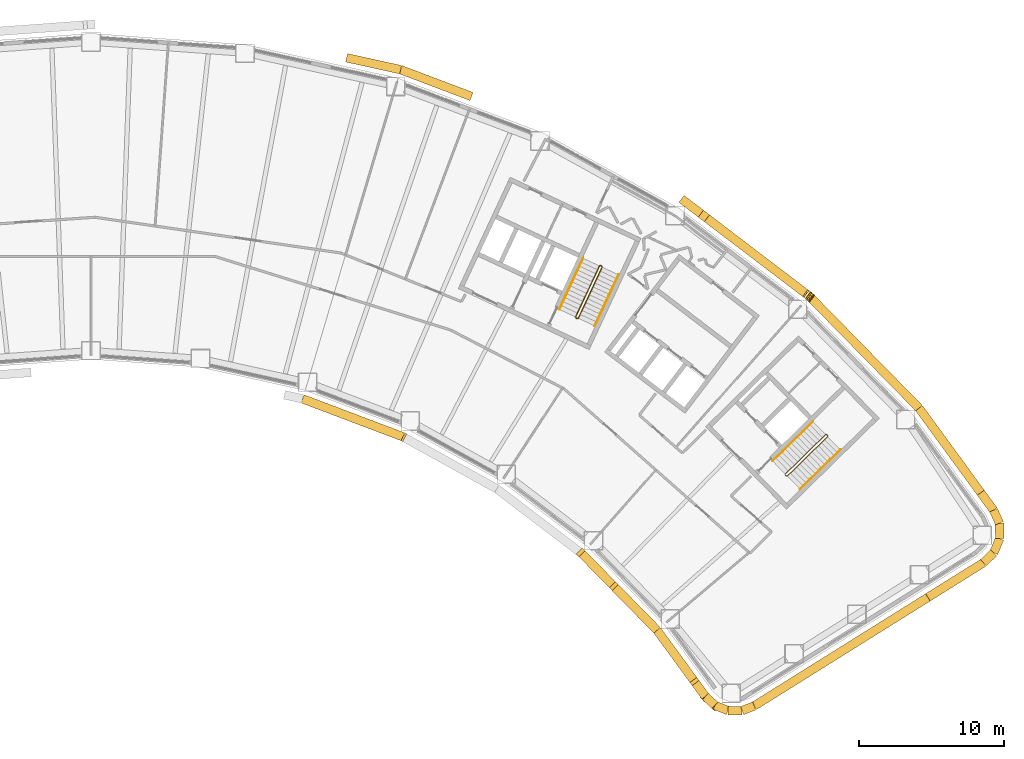
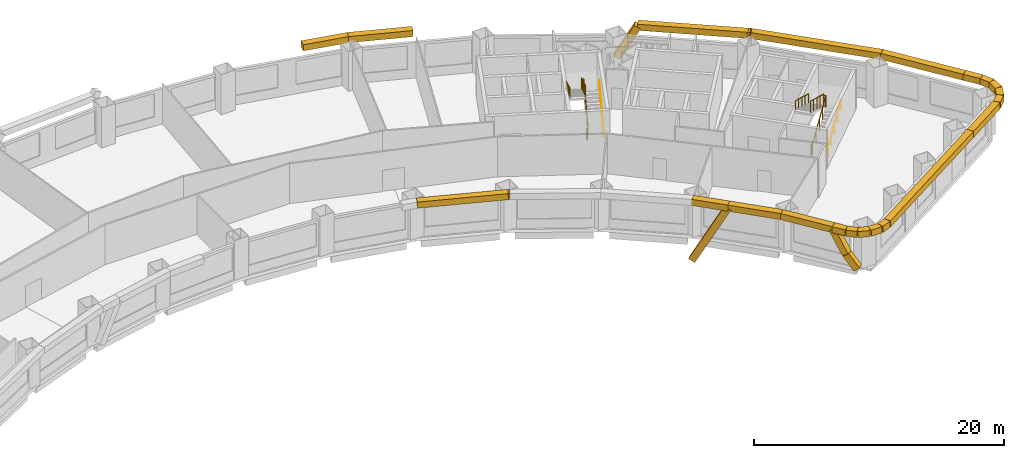
# One storey, part 11 of 11: 29 coverings, 6 railings.
"""IFC4 building model written with IfcOpenShell, lengths in metres."""

import ifcopenshell
import ifcopenshell.guid

model = None  # the IFC model being written
_history = None  # IfcOwnerHistory: only IFC2X3 demands one
_inside = {}  # id of a spatial element -> (the spatial element, [elements in it])
_under = {}  # id of a project, library or spatial element -> (it, [spatial elements below it])
_declared = {}  # id of a project -> (the project, [libraries it declares])
_typed = {}  # id of a type object -> (the type object, [elements of that type])
_made_of = {}  # id of a material, layer set ... -> (it, [elements and type objects made of it])


def new_model(schema):
    """Start an empty IFC model of exactly this schema.

    Asked for "IFC4X3", IfcOpenShell would pick the latest addendum, in which some entities
    have other attributes; the version numbers below select the first issue.
    IFC2X3 requires an IfcOwnerHistory on every rooted entity: one is made here for all.
    """
    global model, _history
    if schema == "IFC4X3":
        model = ifcopenshell.file(schema_version=(4, 3, 0, 0))
    else:
        model = ifcopenshell.file(schema=schema)
    _inside.clear()
    _under.clear()
    _declared.clear()
    _typed.clear()
    _made_of.clear()
    _history = None
    if model.schema == "IFC2X3":
        org = make("IfcOrganization", Name="unknown")
        user = make(
            "IfcPersonAndOrganization",
            ThePerson=make("IfcPerson", FamilyName="unknown"),
            TheOrganization=org,
        )
        app = make(
            "IfcApplication",
            ApplicationDeveloper=org,
            Version="unknown",
            ApplicationFullName="unknown",
            ApplicationIdentifier="unknown",
        )
        _history = make(
            "IfcOwnerHistory",
            OwningUser=user,
            OwningApplication=app,
            ChangeAction="ADDED",
            CreationDate=0,
        )
    return model


def make(cls, **values):
    """One entity of the class cls with the attributes given. An attribute that is None is left unset."""
    return model.create_entity(
        cls, **{name: value for name, value in values.items() if value is not None}
    )


def rooted(cls, **values):
    """An entity with a GlobalId (a new one), such as an element, a storey or a relation."""
    return make(cls, GlobalId=ifcopenshell.guid.new(), OwnerHistory=_history, **values)


def si_unit(unit_type, name, prefix=None):
    """IfcSIUnit, for example si_unit("LENGTHUNIT", "METRE", prefix="MILLI")."""
    return make("IfcSIUnit", UnitType=unit_type, Prefix=prefix, Name=name)


def assignment(units):
    """IfcUnitAssignment: the units of a project."""
    return None if units is None else make("IfcUnitAssignment", Units=units)


def point(xyz):
    """IfcCartesianPoint."""
    return None if xyz is None else make("IfcCartesianPoint", Coordinates=xyz)


def direction(xyz):
    """IfcDirection."""
    return None if xyz is None else make("IfcDirection", DirectionRatios=xyz)


def frame(location, z_axis=None, x_axis=None):
    """IfcAxis2Placement3D, a coordinate frame: its origin and axes. An axis left out is left unset."""
    return make(
        "IfcAxis2Placement3D",
        Location=point(location),
        Axis=direction(z_axis),
        RefDirection=direction(x_axis),
    )


def frame_2d(location, x_axis=None):
    """IfcAxis2Placement2D, a coordinate frame in the plane: its origin and x axis."""
    return make(
        "IfcAxis2Placement2D", Location=point(location), RefDirection=direction(x_axis)
    )


def origin():
    """The frame at (0, 0, 0) with its axes left unset."""
    return frame((0.0, 0.0, 0.0))


def origin_2d():
    """The frame at (0, 0) in the plane with its x axis left unset."""
    return frame_2d((0.0, 0.0))


def place(relative_to, where):
    """IfcLocalPlacement: puts the frame where relative to a parent placement (None: the world)."""
    return make(
        "IfcLocalPlacement", PlacementRelTo=relative_to, RelativePlacement=where
    )


def context(
    kind, dimensions, precision=None, world=None, true_north=None, identifier=None
):
    """IfcGeometricRepresentationContext, for example the 3D "Model" context."""
    return make(
        "IfcGeometricRepresentationContext",
        ContextIdentifier=identifier,
        ContextType=kind,
        CoordinateSpaceDimension=dimensions,
        Precision=precision,
        WorldCoordinateSystem=world,
        TrueNorth=true_north,
    )


def subcontext(parent, identifier, kind, view, scale=None):
    """IfcGeometricRepresentationSubContext, for example "Body" below "Model"."""
    return make(
        "IfcGeometricRepresentationSubContext",
        ContextIdentifier=identifier,
        ContextType=kind,
        ParentContext=parent,
        TargetScale=scale,
        TargetView=view,
    )


def project(units=None, contexts=None):
    """IfcProject with its units and contexts."""
    return rooted(
        "IfcProject",
        Name="project",
        RepresentationContexts=contexts,
        UnitsInContext=assignment(units),
    )


def spatial(cls, under=None, at=None, **own):
    """A site, building, storey or space (cls), placed at a placement, below another one or the project."""
    s = rooted(cls, ObjectPlacement=at, **own)
    if under is not None:
        _under.setdefault(under.id(), (under, []))[1].append(s)
    return s


def profile(cls, at=None, kind="AREA", **sizes):
    """A parametric profile (cls). Its sizes go by their IFC names, for example OverallWidth=200.0."""
    return make(cls, ProfileType=kind, Position=at, **sizes)


def rectangle(**sizes):
    """IfcRectangleProfileDef."""
    return profile("IfcRectangleProfileDef", **sizes)


def circle(**sizes):
    """IfcCircleProfileDef."""
    return profile("IfcCircleProfileDef", **sizes)


def extrude(swept, where, along, depth):
    """IfcExtrudedAreaSolid: the profile swept, set in the frame where, extruded along a direction by depth."""
    return make(
        "IfcExtrudedAreaSolid",
        SweptArea=swept,
        Position=where,
        ExtrudedDirection=direction(along),
        Depth=depth,
    )


def shape(context_of_items, identifier, shape_type, items):
    """IfcShapeRepresentation: the items that make up one representation, for example the "Body"."""
    return make(
        "IfcShapeRepresentation",
        ContextOfItems=context_of_items,
        RepresentationIdentifier=identifier,
        RepresentationType=shape_type,
        Items=items,
    )


def material(Name=None, Category=None):
    """IfcMaterial."""
    return make("IfcMaterial", Name=Name, Category=Category)


def material_profile(
    of_material, cross_section, Name=None, Category=None, Priority=None
):
    """IfcMaterialProfile: a cross section and its material."""
    return make(
        "IfcMaterialProfile",
        Name=Name,
        Material=of_material,
        Profile=cross_section,
        Priority=Priority,
        Category=Category,
    )


def profile_set(profiles, Name=None, composite=None):
    """IfcMaterialProfileSet."""
    return make(
        "IfcMaterialProfileSet",
        Name=Name,
        MaterialProfiles=profiles,
        CompositeProfile=composite,
    )


def made_of(thing, what):
    """Note that an element or type object is made of a material, layer set ...; save() writes the relation."""
    if what is not None:
        _made_of.setdefault(what.id(), (what, []))[1].append(thing)
    return thing


def type_object(cls, material=None, **own):
    """A type object (cls), such as IfcWallType, which elements share."""
    return made_of(rooted(cls, **own), material)


def element(
    cls,
    number,
    at=None,
    inside=None,
    cuts=None,
    type_object=None,
    material=None,
    context=None,
    identifier="Body",
    shape_type=None,
    held_by="IfcProductDefinitionShape",
    body=None,
    shapes=None,
    **own,
):
    """One element of the class cls, such as IfcWall. Its Tag is "e" and its number.

    at: its placement. inside: the storey or other place that contains it. cuts: it is an
    opening in that element (IfcRelVoidsElement). A single representation is given by context,
    identifier, shape_type and body (its items); several are given by shapes. held_by: the class
    of the entity that holds the representations. save() writes the other relations.
    """
    e = rooted(cls, Tag="e%d" % number, ObjectPlacement=at, **own)
    if body is not None:
        shapes = [shape(context, identifier, shape_type, body)]
    if shapes is not None:
        e.Representation = make(held_by, Representations=shapes)
    if inside is not None:
        _inside.setdefault(inside.id(), (inside, []))[1].append(e)
    if cuts is not None:
        rooted(
            "IfcRelVoidsElement", RelatingBuildingElement=cuts, RelatedOpeningElement=e
        )
    if type_object is not None:
        _typed.setdefault(type_object.id(), (type_object, []))[1].append(e)
    return made_of(e, material)


def aggregate(whole, parts):
    """IfcRelAggregates: a whole, such as a stair, and the parts it consists of."""
    return rooted("IfcRelAggregates", RelatingObject=whole, RelatedObjects=parts)


def save(model, path):
    """Write the relations noted so far, then the file.

    IfcRelAggregates (storeys below a building ...), IfcRelContainedInSpatialStructure (elements
    in a storey), IfcRelDefinesByType, IfcRelAssociatesMaterial and IfcRelDeclares: one each for
    every whole, place, type object, material and project.
    """
    for whole, parts in _under.values():
        aggregate(whole, parts)
    for where, things in _inside.values():
        rooted(
            "IfcRelContainedInSpatialStructure",
            RelatedElements=things,
            RelatingStructure=where,
        )
    for kind, things in _typed.values():
        rooted("IfcRelDefinesByType", RelatedObjects=things, RelatingType=kind)
    for what, things in _made_of.values():
        rooted("IfcRelAssociatesMaterial", RelatedObjects=things, RelatingMaterial=what)
    for by, libraries in _declared.values():
        rooted("IfcRelDeclares", RelatingContext=by, RelatedDefinitions=libraries)
    model.write(path)


model = new_model("IFC4")

# Units and contexts
model_context = context("Model", 3, precision=1e-05, world=origin(), true_north=direction((0.0, 1.0)))
body_context = subcontext(model_context, "Body", "Model", "MODEL_VIEW")
ifc_project = project(units=[si_unit("LENGTHUNIT", "METRE"), si_unit("AREAUNIT", "SQUARE_METRE"), si_unit("VOLUMEUNIT", "CUBIC_METRE"), si_unit("PLANEANGLEUNIT", "RADIAN"), si_unit("MASSUNIT", "GRAM", prefix="KILO")], contexts=[model_context])

# Site, building, storey
site_placement = place(None, origin())
site = spatial("IfcSite", under=ifc_project, at=site_placement, CompositionType="ELEMENT")
building_placement = place(site_placement, origin())
building = spatial("IfcBuilding", under=site, at=building_placement, Name="Tuul Gate Civic Tower", CompositionType="ELEMENT")
storey_placement = place(building_placement, frame((0.0, 0.0, 35.699951171875)))
storey = spatial("IfcBuildingStorey", under=building, at=storey_placement, Name="Level 07", CompositionType="ELEMENT", Elevation=35.699951171875)

# Railings
ifc_material_1 = material(Name="Painted steel", Category="steel")
railing_type_1 = type_object("IfcRailingType", Name="Stair guard", PredefinedType="GUARDRAIL", material=ifc_material_1)
railing_1_placement = place(storey_placement, frame((48.10546875, -16.134765625, 0.0)))
element("IfcRailing", 1, at=railing_1_placement, inside=storey, type_object=railing_type_1, Name="Level 07 ST-3 stair guard 1", PredefinedType="GUARDRAIL", context=body_context, shape_type="SweptSolid", body=[
    extrude(circle(Radius=0.02392578125, at=origin_2d()), frame((0.0, 0.0, 1.076171875), z_axis=(-0.698506948293, 0.715603272202, 0.0), x_axis=(-0.715603272202, -0.698506948293, 0.0)), (0.0, 0.0, 1.0), 0.099853515625),
    extrude(circle(Radius=0.02392578125, at=origin_2d()), frame((-0.06982421875, 0.071533203125, 1.076171875), z_axis=(0.644948864628, -0.331432055434, 0.688617277337), x_axis=(0.457068866502, 0.889431307788, 0.0)), (0.0, 0.0, 1.0), 0.218017578125),
    extrude(circle(Radius=0.02392578125, at=origin_2d()), frame((0.07080078125, -0.000732421875, 1.22607421875), z_axis=(0.638731261263, 0.626133563701, 0.447190268558), x_axis=(-0.700029477518, 0.714113947914, 0.0)), (0.0, 0.0, 1.0), 4.3603515625),
    extrude(circle(Radius=0.02392578125, at=origin_2d()), frame((2.85595703125, 2.7294921875, 3.17626953125), z_axis=(0.010380063588, 0.999946125689, 0.0), x_axis=(-0.999946125689, 0.010380063588, 0.0)), (0.0, 0.0, 1.0), 0.070556640625),
    extrude(circle(Radius=0.02392578125, at=origin_2d()), frame((2.856689453125, 2.800048828125, 3.17626953125), z_axis=(-0.699754442181, 0.714383454909, 0.0), x_axis=(-0.714383454909, -0.699754442181, 0.0)), (0.0, 0.0, 1.0), 0.10009765625),
    extrude(circle(Radius=0.02392578125, at=origin_2d()), frame((2.78662109375, 2.87158203125, 3.17626953125), z_axis=(-0.427069033481, 0.004417955519, 0.904208229508), x_axis=(-0.010344274102, -0.999946496565, 0.0)), (0.0, 0.0, 1.0), 0.165771484375),
    extrude(circle(Radius=0.02392578125, at=origin_2d()), frame((2.7158203125, 2.872314453125, 3.326171875), z_axis=(-0.638731261263, -0.626133563701, 0.447190268558), x_axis=(0.700029477518, -0.714113947914, 0.0)), (0.0, 0.0, 1.0), 4.3603515625),
    extrude(circle(Radius=0.02099609375, at=origin_2d()), origin(), (0.0, 0.0, 1.0), 1.052001953125),
    extrude(circle(Radius=0.02099609375, at=origin_2d()), frame((-0.06982421875, 0.071533203125, 0.0)), (0.0, 0.0, 1.0), 1.052001953125),
    extrude(circle(Radius=0.02099609375, at=origin_2d()), frame((0.07080078125, -0.000732421875, 0.150146484375)), (0.0, 0.0, 1.0), 1.052001953125),
    extrude(circle(Radius=0.02099609375, at=origin_2d()), frame((0.76708984375, 0.681884765625, 0.6376953125)), (0.0, 0.0, 1.0), 1.052001953125),
    extrude(circle(Radius=0.02099609375, at=origin_2d()), frame((1.46337890625, 1.3642578125, 1.125)), (0.0, 0.0, 1.0), 1.052001953125),
    extrude(circle(Radius=0.02099609375, at=origin_2d()), frame((2.15966796875, 2.046875, 1.612548828125)), (0.0, 0.0, 1.0), 1.052001953125),
    extrude(circle(Radius=0.02099609375, at=origin_2d()), frame((2.85595703125, 2.7294921875, 2.10009765625)), (0.0, 0.0, 1.0), 1.052001953125),
    extrude(circle(Radius=0.02099609375, at=origin_2d()), frame((2.856689453125, 2.800048828125, 2.10009765625)), (0.0, 0.0, 1.0), 1.052001953125),
    extrude(circle(Radius=0.02099609375, at=origin_2d()), frame((2.78662109375, 2.87158203125, 2.10009765625)), (0.0, 0.0, 1.0), 1.052001953125),
    extrude(circle(Radius=0.02099609375, at=origin_2d()), frame((2.7158203125, 2.872314453125, 2.25)), (0.0, 0.0, 1.0), 1.052001953125),
    extrude(circle(Radius=0.02099609375, at=origin_2d()), frame((2.01953125, 2.189697265625, 2.737548828125)), (0.0, 0.0, 1.0), 1.052001953125),
    extrude(circle(Radius=0.02099609375, at=origin_2d()), frame((1.3232421875, 1.50732421875, 3.22509765625)), (0.0, 0.0, 1.0), 1.052001953125),
    extrude(circle(Radius=0.02099609375, at=origin_2d()), frame((0.626953125, 0.82470703125, 3.71240234375)), (0.0, 0.0, 1.0), 1.052001953125),
    extrude(circle(Radius=0.02099609375, at=origin_2d()), frame((-0.0693359375, 0.14208984375, 4.199951171875)), (0.0, 0.0, 1.0), 1.052001953125),
])
railing_2_placement = place(storey_placement, frame((33.645751953125, -5.238525390625, 0.0)))
element("IfcRailing", 2, at=railing_2_placement, inside=storey, type_object=railing_type_1, Name="Level 07 ST-4 stair guard 1", PredefinedType="GUARDRAIL", context=body_context, shape_type="SweptSolid", body=[
    extrude(circle(Radius=0.02392578125, at=origin_2d()), frame((0.0, 0.0, 1.076171875), z_axis=(-0.906307919131, 0.422617978463, 0.0), x_axis=(-0.422617978463, -0.906307919131, 0.0)), (0.0, 0.0, 1.0), 0.099853515625),
    extrude(circle(Radius=0.02392578125, at=origin_2d()), frame((-0.090576171875, 0.042236328125, 1.076171875), z_axis=(0.720179819621, -0.082882280952, 0.688818956559), x_axis=(0.114330889033, 0.993442724979, 0.0)), (0.0, 0.0, 1.0), 0.218017578125),
    extrude(circle(Radius=0.02392578125, at=origin_2d()), frame((0.06640625, 0.024169921875, 1.22607421875), z_axis=(0.377946903738, 0.810654114417, 0.447209173356), x_axis=(-0.906336612539, 0.422556439746, 0.0)), (0.0, 0.0, 1.0), 4.3603515625),
    extrude(circle(Radius=0.02392578125, at=origin_2d()), frame((1.71435546875, 3.558837890625, 3.17626953125), z_axis=(-0.342020437038, 0.939692513883, 0.0), x_axis=(-0.939692513883, -0.342020437038, 0.0)), (0.0, 0.0, 1.0), 0.070556640625),
    extrude(circle(Radius=0.02392578125, at=origin_2d()), frame((1.690185546875, 3.625244140625, 3.17626953125), z_axis=(-0.906307919131, 0.422617978463, 0.0), x_axis=(-0.422617978463, -0.906307919131, 0.0)), (0.0, 0.0, 1.0), 0.099853515625),
    extrude(circle(Radius=0.02392578125, at=origin_2d()), frame((1.599609375, 3.66748046875, 3.17626953125), z_axis=(-0.40070210376, -0.145843780413, 0.904526072458), x_axis=(0.342020437038, -0.939692513883, 0.0)), (0.0, 0.0, 1.0), 0.165771484375),
    extrude(circle(Radius=0.02392578125, at=origin_2d()), frame((1.533203125, 3.643310546875, 3.326171875), z_axis=(-0.377946903738, -0.810654114417, 0.447209173356), x_axis=(0.906336612539, -0.422556439746, 0.0)), (0.0, 0.0, 1.0), 4.3603515625),
    extrude(circle(Radius=0.02099609375, at=origin_2d()), origin(), (0.0, 0.0, 1.0), 1.052001953125),
    extrude(circle(Radius=0.02099609375, at=origin_2d()), frame((-0.090576171875, 0.042236328125, 0.0)), (0.0, 0.0, 1.0), 1.052001953125),
    extrude(circle(Radius=0.02099609375, at=origin_2d()), frame((0.06640625, 0.024169921875, 0.150146484375)), (0.0, 0.0, 1.0), 1.052001953125),
    extrude(circle(Radius=0.02099609375, at=origin_2d()), frame((0.478515625, 0.90771484375, 0.6376953125)), (0.0, 0.0, 1.0), 1.052001953125),
    extrude(circle(Radius=0.02099609375, at=origin_2d()), frame((0.890380859375, 1.79150390625, 1.125)), (0.0, 0.0, 1.0), 1.052001953125),
    extrude(circle(Radius=0.02099609375, at=origin_2d()), frame((1.30224609375, 2.67529296875, 1.612548828125)), (0.0, 0.0, 1.0), 1.052001953125),
    extrude(circle(Radius=0.02099609375, at=origin_2d()), frame((1.71435546875, 3.558837890625, 2.10009765625)), (0.0, 0.0, 1.0), 1.052001953125),
    extrude(circle(Radius=0.02099609375, at=origin_2d()), frame((1.690185546875, 3.625244140625, 2.10009765625)), (0.0, 0.0, 1.0), 1.052001953125),
    extrude(circle(Radius=0.02099609375, at=origin_2d()), frame((1.599609375, 3.66748046875, 2.10009765625)), (0.0, 0.0, 1.0), 1.052001953125),
    extrude(circle(Radius=0.02099609375, at=origin_2d()), frame((1.533203125, 3.643310546875, 2.25)), (0.0, 0.0, 1.0), 1.052001953125),
    extrude(circle(Radius=0.02099609375, at=origin_2d()), frame((1.12109375, 2.759765625, 2.737548828125)), (0.0, 0.0, 1.0), 1.052001953125),
    extrude(circle(Radius=0.02099609375, at=origin_2d()), frame((0.709228515625, 1.8759765625, 3.22509765625)), (0.0, 0.0, 1.0), 1.052001953125),
    extrude(circle(Radius=0.02099609375, at=origin_2d()), frame((0.29736328125, 0.9921875, 3.71240234375)), (0.0, 0.0, 1.0), 1.052001953125),
    extrude(circle(Radius=0.02099609375, at=origin_2d()), frame((-0.11474609375, 0.108642578125, 4.199951171875)), (0.0, 0.0, 1.0), 1.052001953125),
])
ifc_material_2 = material(Name="Painted steel", Category="steel")
railing_type_2 = type_object("IfcRailingType", Name="Stair handrail", PredefinedType="HANDRAIL", material=ifc_material_2)
railing_3_placement = place(storey_placement, frame((49.05126953125, -17.028076171875, 0.150146484375)))
element("IfcRailing", 3, at=railing_3_placement, inside=storey, type_object=railing_type_2, Name="Level 07 ST-3 stair handrail 1", PredefinedType="HANDRAIL", context=body_context, shape_type="SweptSolid", body=[
    extrude(circle(Radius=0.02392578125, at=origin_2d()), frame((0.0, 0.0, 0.8759765625), z_axis=(0.638753653487, 0.626099522554, 0.447205945863), x_axis=(-0.699997553204, 0.714145241186, 0.0)), (0.0, 0.0, 1.0), 4.3603515625),
    extrude(circle(Radius=0.02099609375, at=origin_2d()), origin(), (0.0, 0.0, 1.0), 0.851806640625),
    extrude(circle(Radius=0.02099609375, at=origin_2d()), frame((0.6962890625, 0.6826171875, 0.487548828125)), (0.0, 0.0, 1.0), 0.851806640625),
    extrude(circle(Radius=0.02099609375, at=origin_2d()), frame((1.392578125, 1.364990234375, 0.97509765625)), (0.0, 0.0, 1.0), 0.851806640625),
    extrude(circle(Radius=0.02099609375, at=origin_2d()), frame((2.0888671875, 2.04736328125, 1.46240234375)), (0.0, 0.0, 1.0), 0.851806640625),
    extrude(circle(Radius=0.02099609375, at=origin_2d()), frame((2.78515625, 2.72998046875, 1.949951171875)), (0.0, 0.0, 1.0), 0.851806640625),
])
railing_4_placement = place(storey_placement, frame((49.9462890625, -12.369873046875, 2.25)))
element("IfcRailing", 4, at=railing_4_placement, inside=storey, type_object=railing_type_2, Name="Level 07 ST-3 stair handrail 2", PredefinedType="HANDRAIL", context=body_context, shape_type="SweptSolid", body=[
    extrude(circle(Radius=0.02392578125, at=origin_2d()), frame((0.0, 0.0, 0.8759765625), z_axis=(-0.638753653487, -0.626099522554, 0.447205945863), x_axis=(0.699997553204, -0.714145241186, 0.0)), (0.0, 0.0, 1.0), 4.3603515625),
    extrude(circle(Radius=0.02099609375, at=origin_2d()), origin(), (0.0, 0.0, 1.0), 0.851806640625),
    extrude(circle(Radius=0.02099609375, at=origin_2d()), frame((-0.6962890625, -0.6826171875, 0.487548828125)), (0.0, 0.0, 1.0), 0.851806640625),
    extrude(circle(Radius=0.02099609375, at=origin_2d()), frame((-1.392578125, -1.364990234375, 0.97509765625)), (0.0, 0.0, 1.0), 0.851806640625),
    extrude(circle(Radius=0.02099609375, at=origin_2d()), frame((-2.0888671875, -2.04736328125, 1.46240234375)), (0.0, 0.0, 1.0), 0.851806640625),
    extrude(circle(Radius=0.02099609375, at=origin_2d()), frame((-2.78515625, -2.72998046875, 1.949951171875)), (0.0, 0.0, 1.0), 0.851806640625),
])
railing_5_placement = place(storey_placement, frame((34.844970703125, -5.74267578125, 0.150146484375)))
element("IfcRailing", 5, at=railing_5_placement, inside=storey, type_object=railing_type_2, Name="Level 07 ST-4 stair handrail 1", PredefinedType="HANDRAIL", context=body_context, shape_type="SweptSolid", body=[
    extrude(circle(Radius=0.02392578125, at=origin_2d()), frame((0.0, 0.0, 0.8759765625), z_axis=(0.377994896215, 0.810636958585, 0.447199709091), x_axis=(-0.906312636903, 0.422607861012, 0.0)), (0.0, 0.0, 1.0), 4.3603515625),
    extrude(circle(Radius=0.02099609375, at=origin_2d()), origin(), (0.0, 0.0, 1.0), 0.851806640625),
    extrude(circle(Radius=0.02099609375, at=origin_2d()), frame((0.412109375, 0.8837890625, 0.487548828125)), (0.0, 0.0, 1.0), 0.851806640625),
    extrude(circle(Radius=0.02099609375, at=origin_2d()), frame((0.82421875, 1.767333984375, 0.97509765625)), (0.0, 0.0, 1.0), 0.851806640625),
    extrude(circle(Radius=0.02099609375, at=origin_2d()), frame((1.236083984375, 2.65087890625, 1.46240234375)), (0.0, 0.0, 1.0), 0.851806640625),
    extrude(circle(Radius=0.02099609375, at=origin_2d()), frame((1.648193359375, 3.53466796875, 1.949951171875)), (0.0, 0.0, 1.0), 0.851806640625),
])
railing_6_placement = place(storey_placement, frame((34.046142578125, -1.06689453125, 2.25)))
element("IfcRailing", 6, at=railing_6_placement, inside=storey, type_object=railing_type_2, Name="Level 07 ST-4 stair handrail 2", PredefinedType="HANDRAIL", context=body_context, shape_type="SweptSolid", body=[
    extrude(circle(Radius=0.02392578125, at=origin_2d()), frame((0.0, 0.0, 0.8759765625), z_axis=(-0.377994896215, -0.810636958585, 0.447199709091), x_axis=(0.906312636903, -0.422607861012, 0.0)), (0.0, 0.0, 1.0), 4.3603515625),
    extrude(circle(Radius=0.02099609375, at=origin_2d()), origin(), (0.0, 0.0, 1.0), 0.851806640625),
    extrude(circle(Radius=0.02099609375, at=origin_2d()), frame((-0.412109375, -0.8837890625, 0.487548828125)), (0.0, 0.0, 1.0), 0.851806640625),
    extrude(circle(Radius=0.02099609375, at=origin_2d()), frame((-0.82421875, -1.767333984375, 0.97509765625)), (0.0, 0.0, 1.0), 0.851806640625),
    extrude(circle(Radius=0.02099609375, at=origin_2d()), frame((-1.236083984375, -2.65087890625, 1.46240234375)), (0.0, 0.0, 1.0), 0.851806640625),
    extrude(circle(Radius=0.02099609375, at=origin_2d()), frame((-1.648193359375, -3.53466796875, 1.949951171875)), (0.0, 0.0, 1.0), 0.851806640625),
])

# Coverings
ifc_material_3 = material(Name="Terracotta baguette", Category="masonry")
ifc_material_profile = material_profile(ifc_material_3, rectangle(XDim=0.60009765625, YDim=0.60009765625, at=origin_2d()), Name="Terracotta baguette screen frame")
ifc_profile_set = profile_set([ifc_material_profile], Name="Terracotta baguette")
covering_type = type_object("IfcCoveringType", Name="Terracotta baguette screen frame", PredefinedType="CLADDING", material=ifc_profile_set)
covering_1_placement = place(storey_placement, frame((57.901123046875, -24.52685546875, 3.85009765625), z_axis=(0.848058898511, 0.529901976461, 0.0), x_axis=(-0.529901976461, 0.848058898511, 0.0)))
element("IfcCovering", 7, at=covering_1_placement, inside=storey, type_object=covering_type, Name="Baguette 4", PredefinedType="CLADDING", context=body_context, shape_type="SweptSolid", body=[
    extrude(rectangle(XDim=0.60009765625, YDim=0.60009765625, at=origin_2d()), origin(), (0.0, 0.0, 1.0), 4.526611328125),
])
covering_2_placement = place(storey_placement, frame((61.739990234375, -22.128173828125, 3.85009765625), z_axis=(0.722137314744, 0.691749737011, 0.0), x_axis=(-0.691749737011, 0.722137314744, 0.0)))
element("IfcCovering", 8, at=covering_2_placement, inside=storey, type_object=covering_type, Name="Baguette 5", PredefinedType="CLADDING", context=body_context, shape_type="SweptSolid", body=[
    extrude(rectangle(XDim=0.60009765625, YDim=0.60009765625, at=origin_2d()), origin(), (0.0, 0.0, 1.0), 0.98828125),
])
covering_3_placement = place(storey_placement, frame((62.45361328125, -21.444580078125, 3.85009765625), z_axis=(0.385784883999, 0.922588761734, 0.0), x_axis=(-0.922588761734, 0.385784883999, 0.0)))
element("IfcCovering", 9, at=covering_3_placement, inside=storey, type_object=covering_type, Name="Baguette 6", PredefinedType="CLADDING", context=body_context, shape_type="SweptSolid", body=[
    extrude(rectangle(XDim=0.60009765625, YDim=0.60009765625, at=origin_2d()), origin(), (0.0, 0.0, 1.0), 1.06689453125),
])
covering_4_placement = place(storey_placement, frame((62.865234375, -20.460205078125, 3.85009765625), z_axis=(-0.014650442147, 0.999892676513, 0.0), x_axis=(-0.999892676513, -0.014650442147, 0.0)))
element("IfcCovering", 10, at=covering_4_placement, inside=storey, type_object=covering_type, Name="Baguette 7", PredefinedType="CLADDING", context=body_context, shape_type="SweptSolid", body=[
    extrude(rectangle(XDim=0.60009765625, YDim=0.60009765625, at=origin_2d()), origin(), (0.0, 0.0, 1.0), 1.06640625),
])
covering_5_placement = place(storey_placement, frame((62.849609375, -19.393798828125, 3.85009765625), z_axis=(-0.412928742672, 0.910763335601, 0.0), x_axis=(-0.910763335601, -0.412928742672, 0.0)))
element("IfcCovering", 11, at=covering_5_placement, inside=storey, type_object=covering_type, Name="Baguette 8", PredefinedType="CLADDING", context=body_context, shape_type="SweptSolid", body=[
    extrude(rectangle(XDim=0.60009765625, YDim=0.60009765625, at=origin_2d()), origin(), (0.0, 0.0, 1.0), 0.9892578125),
])
covering_6_placement = place(storey_placement, frame((62.441162109375, -18.492919921875, 3.85009765625), z_axis=(-0.589811807799, 0.807540730478, 0.0), x_axis=(-0.807540730478, -0.589811807799, 0.0)))
element("IfcCovering", 12, at=covering_6_placement, inside=storey, type_object=covering_type, Name="Baguette 9", PredefinedType="CLADDING", context=body_context, shape_type="SweptSolid", body=[
    extrude(rectangle(XDim=0.60009765625, YDim=0.60009765625, at=origin_2d()), origin(), (0.0, 0.0, 1.0), 1.49462890625),
])
covering_7_placement = place(storey_placement, frame((49.693603515625, -3.690185546875, 4.01806640625), z_axis=(-0.378497746788, 0.287709435903, -0.879751519561), x_axis=(-0.605151459078, -0.796110363942, 0.0)))
element("IfcCovering", 13, at=covering_7_placement, inside=storey, type_object=covering_type, Name="Baguette 28", PredefinedType="CLADDING", context=body_context, shape_type="SweptSolid", body=[
    extrude(rectangle(XDim=0.60009765625, YDim=0.60009765625, at=origin_2d()), origin(), (0.0, 0.0, 1.0), 0.19091796875),
])
covering_8_placement = place(storey_placement, frame((49.621337890625, -3.63525390625, 3.85009765625), z_axis=(0.378072366065, -0.28738608907, -0.880040068308), x_axis=(0.605151459078, 0.796110363942, 0.0)))
element("IfcCovering", 14, at=covering_8_placement, inside=storey, type_object=covering_type, Name="Baguette 31", PredefinedType="CLADDING", context=body_context, shape_type="SweptSolid", body=[
    extrude(rectangle(XDim=0.60009765625, YDim=0.60009765625, at=origin_2d()), origin(), (0.0, 0.0, 1.0), 0.191162109375),
])
covering_9_placement = place(storey_placement, frame((49.621337890625, -3.63525390625, 3.85009765625), z_axis=(-0.795609596357, 0.605809681488, 0.0), x_axis=(-0.605809681488, -0.795609596357, 0.0)))
element("IfcCovering", 15, at=covering_9_placement, inside=storey, type_object=covering_type, Name="Baguette 33", PredefinedType="CLADDING", context=body_context, shape_type="SweptSolid", body=[
    extrude(rectangle(XDim=0.60009765625, YDim=0.60009765625, at=origin_2d()), origin(), (0.0, 0.0, 1.0), 9.072265625),
])
covering_10_placement = place(storey_placement, frame((42.4033203125, 1.86083984375, 3.85009765625), z_axis=(-0.378091075585, 0.287863234392, -0.879876069028), x_axis=(-0.605768691074, -0.795640806467, 0.0)))
element("IfcCovering", 16, at=covering_10_placement, inside=storey, type_object=covering_type, Name="Baguette 37", PredefinedType="CLADDING", context=body_context, shape_type="SweptSolid", body=[
    extrude(rectangle(XDim=0.60009765625, YDim=0.60009765625, at=origin_2d()), origin(), (0.0, 0.0, 1.0), 3.552734375),
])
covering_11_placement = place(storey_placement, frame((26.325927734375, 10.126708984375, 3.85009765625), z_axis=(-0.935382818769, 0.353636794398, 0.0), x_axis=(-0.353636794398, -0.935382818769, 0.0)))
element("IfcCovering", 17, at=covering_11_placement, inside=storey, type_object=covering_type, Name="Baguette 54", PredefinedType="CLADDING", context=body_context, shape_type="SweptSolid", body=[
    extrude(rectangle(XDim=0.60009765625, YDim=0.60009765625, at=origin_2d()), origin(), (0.0, 0.0, 1.0), 5.245361328125),
])
covering_12_placement = place(storey_placement, frame((21.41943359375, 11.981689453125, 3.85009765625), z_axis=(-0.976544490881, 0.215315715472, 0.0), x_axis=(-0.215315715472, -0.976544490881, 0.0)))
element("IfcCovering", 18, at=covering_12_placement, inside=storey, type_object=covering_type, Name="Baguette 55", PredefinedType="CLADDING", context=body_context, shape_type="SweptSolid", body=[
    extrude(rectangle(XDim=0.60009765625, YDim=0.60009765625, at=origin_2d()), origin(), (0.0, 0.0, 1.0), 3.826904296875),
])
covering_13_placement = place(storey_placement, frame((14.642578125, -10.792724609375, 3.85009765625), z_axis=(0.935363965038, -0.353686659217, 0.0), x_axis=(0.353686659217, 0.935363965038, 0.0)))
element("IfcCovering", 19, at=covering_13_placement, inside=storey, type_object=covering_type, Name="Baguette 230", PredefinedType="CLADDING", context=body_context, shape_type="SweptSolid", body=[
    extrude(rectangle(XDim=0.60009765625, YDim=0.60009765625, at=origin_2d()), origin(), (0.0, 0.0, 1.0), 7.417724609375),
])
covering_14_placement = place(storey_placement, frame((21.580810546875, -13.416259765625, 3.85009765625), z_axis=(0.874322522594, -0.485345368254, 0.0), x_axis=(0.485345368254, 0.874322522594, 0.0)))
element("IfcCovering", 20, at=covering_14_placement, inside=storey, type_object=covering_type, Name="Baguette 231", PredefinedType="CLADDING", context=body_context, shape_type="SweptSolid", body=[
    extrude(rectangle(XDim=0.60009765625, YDim=0.60009765625, at=origin_2d()), origin(), (0.0, 0.0, 1.0), 0.139404296875),
])
covering_15_placement = place(storey_placement, frame((36.075439453125, -23.654296875, 3.85009765625), z_axis=(-0.326302490649, 0.332887579187, -0.884710429587), x_axis=(-0.714134909565, -0.700008093482, 0.0)))
element("IfcCovering", 21, at=covering_15_placement, inside=storey, type_object=covering_type, Name="Baguette 250", PredefinedType="CLADDING", context=body_context, shape_type="SweptSolid", body=[
    extrude(rectangle(XDim=0.60009765625, YDim=0.60009765625, at=origin_2d()), origin(), (0.0, 0.0, 1.0), 6.450927734375),
])
covering_16_placement = place(storey_placement, frame((36.075439453125, -23.654296875, 3.85009765625), z_axis=(0.700042634993, -0.714101049706, 0.0), x_axis=(0.714101049706, 0.700042634993, 0.0)))
element("IfcCovering", 22, at=covering_16_placement, inside=storey, type_object=covering_type, Name="Baguette 252", PredefinedType="CLADDING", context=body_context, shape_type="SweptSolid", body=[
    extrude(rectangle(XDim=0.60009765625, YDim=0.60009765625, at=origin_2d()), origin(), (0.0, 0.0, 1.0), 4.410888671875),
])
covering_17_placement = place(storey_placement, frame((39.163330078125, -26.80419921875, 3.85009765625), z_axis=(0.589751062736, -0.80758509397, 0.0), x_axis=(0.80758509397, 0.589751062736, 0.0)))
element("IfcCovering", 23, at=covering_17_placement, inside=storey, type_object=covering_type, Name="Baguette 253", PredefinedType="CLADDING", context=body_context, shape_type="SweptSolid", body=[
    extrude(rectangle(XDim=0.60009765625, YDim=0.60009765625, at=origin_2d()), origin(), (0.0, 0.0, 1.0), 4.51904296875),
])
covering_18_placement = place(storey_placement, frame((41.828369140625, -30.45361328125, 3.85009765625), z_axis=(0.278597074614, -0.381606916432, -0.881339793353), x_axis=(0.807662774431, 0.589644675037, 0.0)))
element("IfcCovering", 24, at=covering_18_placement, inside=storey, type_object=covering_type, Name="Baguette 258", PredefinedType="CLADDING", context=body_context, shape_type="SweptSolid", body=[
    extrude(rectangle(XDim=0.60009765625, YDim=0.60009765625, at=origin_2d()), origin(), (0.0, 0.0, 1.0), 2.438720703125),
])
covering_19_placement = place(storey_placement, frame((42.5078125, -31.38427734375, 1.70068359375), z_axis=(0.418568484912, -0.391874462144, -0.819289222044), x_axis=(0.683445771731, 0.730001285686, 0.0)))
element("IfcCovering", 25, at=covering_19_placement, inside=storey, type_object=covering_type, Name="Baguette 259", PredefinedType="CLADDING", context=body_context, shape_type="SweptSolid", body=[
    extrude(rectangle(XDim=0.60009765625, YDim=0.60009765625, at=origin_2d()), origin(), (0.0, 0.0, 1.0), 1.572998046875),
])
covering_20_placement = place(storey_placement, frame((61.5595703125, -17.285888671875, 3.85009765625), z_axis=(-0.589818720198, 0.807535681753, 0.0), x_axis=(-0.807535681753, -0.589818720198, 0.0)))
element("IfcCovering", 26, at=covering_20_placement, inside=storey, type_object=covering_type, Name="Baguette 285", PredefinedType="CLADDING", context=body_context, shape_type="SweptSolid", body=[
    extrude(rectangle(XDim=0.60009765625, YDim=0.60009765625, at=origin_2d()), origin(), (0.0, 0.0, 1.0), 7.239501953125),
])
covering_21_placement = place(storey_placement, frame((57.28955078125, -11.439697265625, 3.85009765625), z_axis=(-0.699995601925, 0.714147153804, 0.0), x_axis=(-0.714147153804, -0.699995601925, 0.0)))
element("IfcCovering", 27, at=covering_21_placement, inside=storey, type_object=covering_type, Name="Baguette 286", PredefinedType="CLADDING", context=body_context, shape_type="SweptSolid", body=[
    extrude(rectangle(XDim=0.60009765625, YDim=0.60009765625, at=origin_2d()), origin(), (0.0, 0.0, 1.0), 10.851318359375),
])
covering_22_placement = place(storey_placement, frame((49.693603515625, -3.690185546875, 3.85009765625), z_axis=(-0.796110363942, 0.605151459078, 0.0), x_axis=(-0.605151459078, -0.796110363942, 0.0)))
element("IfcCovering", 28, at=covering_22_placement, inside=storey, type_object=covering_type, Name="Baguette 287", PredefinedType="CLADDING", context=body_context, shape_type="SweptSolid", body=[
    extrude(rectangle(XDim=0.60009765625, YDim=0.60009765625, at=origin_2d()), origin(), (0.0, 0.0, 1.0), 0.0908203125),
])
covering_23_placement = place(storey_placement, frame((33.970458984375, -21.5068359375, 3.85009765625), z_axis=(0.700008093482, -0.714134909565, 0.0), x_axis=(0.714134909565, 0.700008093482, 0.0)))
element("IfcCovering", 29, at=covering_23_placement, inside=storey, type_object=covering_type, Name="Baguette 366", PredefinedType="CLADDING", context=body_context, shape_type="SweptSolid", body=[
    extrude(rectangle(XDim=0.60009765625, YDim=0.60009765625, at=origin_2d()), origin(), (0.0, 0.0, 1.0), 3.007080078125),
])
covering_24_placement = place(storey_placement, frame((41.828369140625, -30.45361328125, 3.85009765625), z_axis=(0.589644675037, -0.807662774431, 0.0), x_axis=(0.807662774431, 0.589644675037, 0.0)))
element("IfcCovering", 30, at=covering_24_placement, inside=storey, type_object=covering_type, Name="Baguette 375", PredefinedType="CLADDING", context=body_context, shape_type="SweptSolid", body=[
    extrude(rectangle(XDim=0.60009765625, YDim=0.60009765625, at=origin_2d()), origin(), (0.0, 0.0, 1.0), 1.15234375),
])
covering_25_placement = place(storey_placement, frame((42.5078125, -31.38427734375, 3.85009765625), z_axis=(0.730001285686, -0.683445771731, 0.0), x_axis=(0.683445771731, 0.730001285686, 0.0)))
element("IfcCovering", 31, at=covering_25_placement, inside=storey, type_object=covering_type, Name="Baguette 376", PredefinedType="CLADDING", context=body_context, shape_type="SweptSolid", body=[
    extrude(rectangle(XDim=0.60009765625, YDim=0.60009765625, at=origin_2d()), origin(), (0.0, 0.0, 1.0), 0.902099609375),
])
covering_26_placement = place(storey_placement, frame((43.166259765625, -32.000732421875, 3.85009765625), z_axis=(0.929647485715, -0.36845020329, 0.0), x_axis=(0.36845020329, 0.929647485715, 0.0)))
element("IfcCovering", 32, at=covering_26_placement, inside=storey, type_object=covering_type, Name="Baguette 377", PredefinedType="CLADDING", context=body_context, shape_type="SweptSolid", body=[
    extrude(rectangle(XDim=0.60009765625, YDim=0.60009765625, at=origin_2d()), origin(), (0.0, 0.0, 1.0), 0.97412109375),
])
covering_27_placement = place(storey_placement, frame((44.07177734375, -32.359619140625, 3.85009765625), z_axis=(0.999996192163, -0.002759648297, 0.0), x_axis=(0.002759648297, 0.999996192163, 0.0)))
element("IfcCovering", 33, at=covering_27_placement, inside=storey, type_object=covering_type, Name="Baguette 378", PredefinedType="CLADDING", context=body_context, shape_type="SweptSolid", body=[
    extrude(rectangle(XDim=0.60009765625, YDim=0.60009765625, at=origin_2d()), origin(), (0.0, 0.0, 1.0), 0.97314453125),
])
covering_28_placement = place(storey_placement, frame((45.044921875, -32.3623046875, 3.85009765625), z_axis=(0.93189278144, 0.362733847194, 0.0), x_axis=(-0.362733847194, 0.93189278144, 0.0)))
element("IfcCovering", 34, at=covering_28_placement, inside=storey, type_object=covering_type, Name="Baguette 379", PredefinedType="CLADDING", context=body_context, shape_type="SweptSolid", body=[
    extrude(rectangle(XDim=0.60009765625, YDim=0.60009765625, at=origin_2d()), origin(), (0.0, 0.0, 1.0), 0.901123046875),
])
covering_29_placement = place(storey_placement, frame((45.884765625, -32.035400390625, 3.85009765625), z_axis=(0.848051539004, 0.529913754486, 0.0), x_axis=(-0.529913754486, 0.848051539004, 0.0)))
element("IfcCovering", 35, at=covering_29_placement, inside=storey, type_object=covering_type, Name="Baguette 380", PredefinedType="CLADDING", context=body_context, shape_type="SweptSolid", body=[
    extrude(rectangle(XDim=0.60009765625, YDim=0.60009765625, at=origin_2d()), origin(), (0.0, 0.0, 1.0), 14.16943359375),
])

save(model, "model.ifc")
